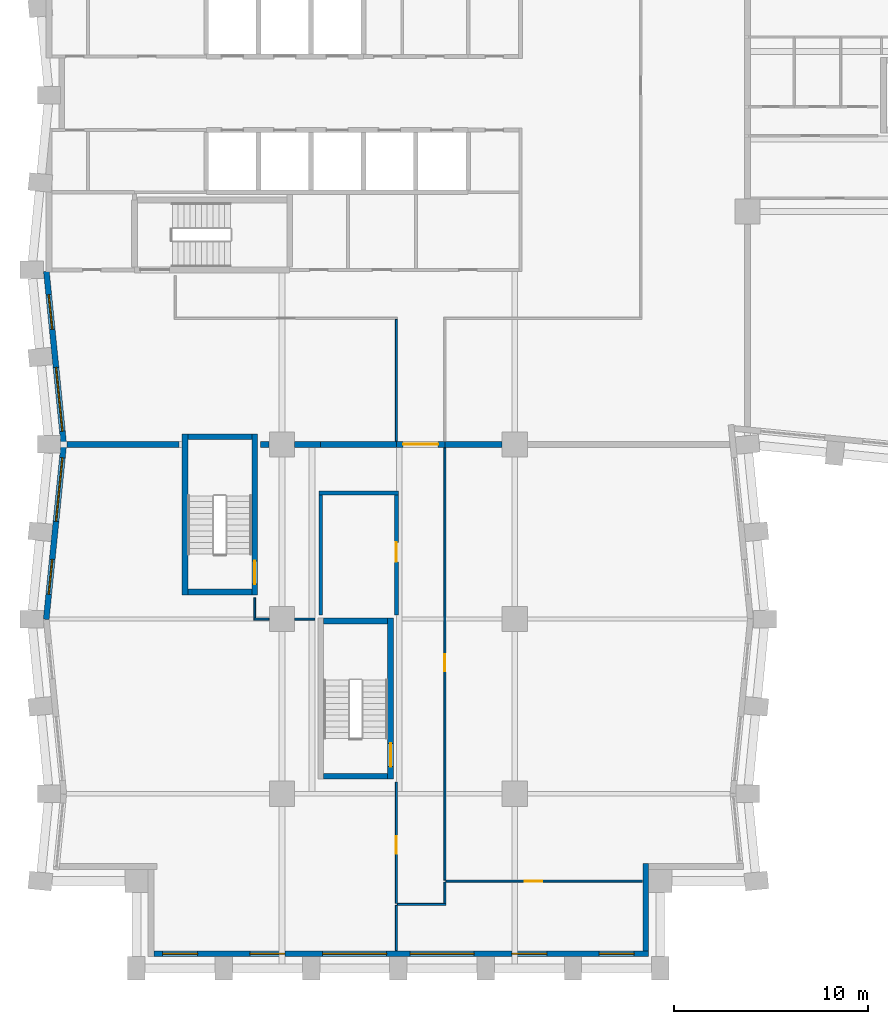
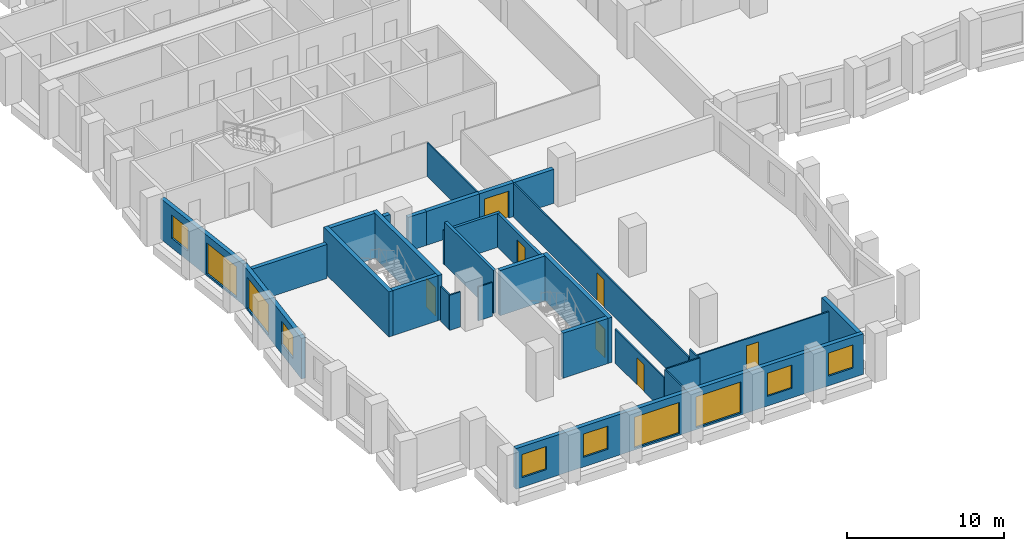
# One storey, part 3 of 11: 30 walls, 10 windows, 7 doors, 17 openings.
"""IFC4 building model written with IfcOpenShell, lengths in metres."""

from ifc_helpers import new_model, si_unit, direction, frame, frame_2d, origin, place, context, subcontext, project, spatial, rectangle, extrude, material, layer, layer_set, type_object, element, fill, save


model = new_model("IFC4")

# Units and contexts
model_context = context("Model", 3, precision=1e-05, world=origin(), true_north=direction((0.0, 1.0)))
body_context = subcontext(model_context, "Body", "Model", "MODEL_VIEW")
ifc_project = project(units=[si_unit("LENGTHUNIT", "METRE"), si_unit("AREAUNIT", "SQUARE_METRE"), si_unit("VOLUMEUNIT", "CUBIC_METRE"), si_unit("PLANEANGLEUNIT", "RADIAN"), si_unit("MASSUNIT", "GRAM", prefix="KILO")], contexts=[model_context])

# Site, building, storey
site_placement = place(None, origin())
site = spatial("IfcSite", under=ifc_project, at=site_placement, CompositionType="ELEMENT")
building_placement = place(site_placement, origin())
building = spatial("IfcBuilding", under=site, at=building_placement, Name="Brondeck Convention Tower", CompositionType="ELEMENT")
storey_placement = place(building_placement, frame((0.0, 0.0, 130.300048828125)))
storey = spatial("IfcBuildingStorey", under=building, at=storey_placement, Name="L31", CompositionType="ELEMENT", Elevation=130.300048828125)

# Walls
ifc_material_1 = material(Name="Concrete compartment wall C30/37", Category="concrete")
ifc_layer_1 = layer(ifc_material_1, 0.300048828125)
ifc_layer_set_1 = layer_set([ifc_layer_1], Name="Compartment wall 300")
wall_type_1 = type_object("IfcWallType", Name="Compartment wall 300", PredefinedType="PARTITIONING", material=ifc_layer_set_1)
wall_1_placement = place(storey_placement, frame((0.924560546875, 27.0, 0.0), z_axis=(0.0, 0.0, 1.0), x_axis=(1.0, 0.0, 0.0)))
element("IfcWall", 1, at=wall_1_placement, inside=storey, type_object=wall_type_1, Name="FLR-L31-W013", PredefinedType="PARTITIONING", context=body_context, shape_type="SweptSolid", body=[
    extrude(rectangle(XDim=5.775390625, YDim=0.300048828125, at=frame_2d((2.8876953125, 0.0))), origin(), (0.0, 0.0, 1.0), 2.6298828125),
])
wall_2_placement = place(storey_placement, frame((10.89990234375, 27.0, 0.0), z_axis=(0.0, 0.0, 1.0), x_axis=(1.0, 0.0, 0.0)))
element("IfcWall", 2, at=wall_2_placement, inside=storey, type_object=wall_type_1, Name="FLR-L31-W014", PredefinedType="PARTITIONING", context=body_context, shape_type="SweptSolid", body=[
    extrude(rectangle(XDim=0.445068359375, YDim=0.300048828125, at=frame_2d((0.22265625, 0.0))), origin(), (0.0, 0.0, 1.0), 3.329833984375),
])
wall_3_placement = place(storey_placement, frame((12.655029296875, 27.0, 0.0), z_axis=(0.0, 0.0, 1.0), x_axis=(1.0, 0.0, 0.0)))
element("IfcWall", 3, at=wall_3_placement, inside=storey, type_object=wall_type_1, Name="FLR-L31-W015", PredefinedType="PARTITIONING", context=body_context, shape_type="SweptSolid", body=[
    extrude(rectangle(XDim=1.344970703125, YDim=0.300048828125, at=frame_2d((0.67236328125, 0.0))), origin(), (0.0, 0.0, 1.0), 2.6298828125),
])
wall_4_placement = place(storey_placement, frame((14.0, 27.0, 0.0), z_axis=(0.0, 0.0, 1.0), x_axis=(1.0, 0.0, 0.0)))
element("IfcWall", 4, at=wall_4_placement, inside=storey, type_object=wall_type_1, Name="FLR-L31-W016", PredefinedType="PARTITIONING", context=body_context, shape_type="SweptSolid", body=[
    extrude(rectangle(XDim=3.89990234375, YDim=0.300048828125, at=frame_2d((1.949951171875, 0.0))), origin(), (0.0, 0.0, 1.0), 2.6298828125),
])

# Wall, opening, door
wall_5_placement = place(storey_placement, frame((20.39990234375, 27.0, 0.0), z_axis=(0.0, 0.0, 1.0), x_axis=(-1.0, 0.0, 0.0)))
wall_5 = element("IfcWall", 5, at=wall_5_placement, inside=storey, type_object=wall_type_1, Name="FLR-L31-W017", PredefinedType="PARTITIONING", context=body_context, shape_type="SweptSolid", body=[
    extrude(rectangle(XDim=2.5, YDim=0.300048828125, at=frame_2d((1.25, 0.0))), origin(), (0.0, 0.0, 1.0), 2.6298828125),
])
opening_1_placement = place(wall_5_placement, frame((0.35009765625, 0.0, 0.0)))
opening_1 = element("IfcOpeningElement", 6, at=opening_1_placement, cuts=wall_5, Name="Opening OF-E-018", PredefinedType="OPENING", context=body_context, shape_type="SweptSolid", body=[
    extrude(rectangle(XDim=1.800048828125, YDim=2.10009765625, at=frame_2d((0.89990234375, 1.050048828125))), frame((0.0, 0.159912109375, 0.0), z_axis=(0.0, -1.0, 0.0), x_axis=(1.0, 0.0, 0.0)), (0.0, 0.0, 1.0), 0.320068359375),
])
ifc_material_2 = material(Name="Steel fire door pair", Category="steel")
door_type_1 = type_object("IfcDoorType", Name="Fire door pair 1800", OperationType="DOUBLE_DOOR_SINGLE_SWING", PredefinedType="DOOR", material=ifc_material_2)
door_1_placement = place(opening_1_placement, origin())
door_1 = element("IfcDoor", 7, at=door_1_placement, inside=storey, type_object=door_type_1, Name="Door OF-E-018", OperationType="DOUBLE_DOOR_SINGLE_SWING", OverallHeight=2.10009765625, OverallWidth=1.800048828125, PredefinedType="DOOR", context=body_context, shape_type="SweptSolid", body=[
    extrude(rectangle(XDim=1.800048828125, YDim=2.10009765625, at=frame_2d((0.89990234375, 1.050048828125))), frame((0.0, 0.02490234375, 0.0), z_axis=(0.0, -1.0, 0.0), x_axis=(1.0, 0.0, 0.0)), (0.0, 0.0, 1.0), 0.050048828125),
])
fill(opening_1, door_1)

# Wall
wall_6_placement = place(storey_placement, frame((20.39990234375, 27.0, 0.0), z_axis=(0.0, 0.0, 1.0), x_axis=(1.0, 0.0, 0.0)))
element("IfcWall", 8, at=wall_6_placement, inside=storey, type_object=wall_type_1, Name="FLR-L31-W018", PredefinedType="PARTITIONING", context=body_context, shape_type="SweptSolid", body=[
    extrude(rectangle(XDim=2.945068359375, YDim=0.300048828125, at=frame_2d((1.47265625, 0.0))), origin(), (0.0, 0.0, 1.0), 2.6298828125),
])

# Wall, openings, windows
ifc_material_3 = material(Name="Precast concrete C50/60 bronze finish", Category="concrete")
ifc_layer_2 = layer(ifc_material_3, 0.070068359375, Name="Bronze precast facing")
ifc_material_4 = material(Name="Mineral wool")
ifc_layer_3 = layer(ifc_material_4, 0.159912109375, Name="Insulation")
ifc_material_5 = material(Name="Concrete C35/45", Category="concrete")
ifc_layer_4 = layer(ifc_material_5, 0.070068359375, Name="Backing")
ifc_layer_set_2 = layer_set([ifc_layer_2, ifc_layer_3, ifc_layer_4], Name="External infill wall, precast concrete C50/60 bronze facing")
wall_type_2 = type_object("IfcWallType", Name="External infill wall, precast concrete C50/60 bronze facing", PredefinedType="SOLIDWALL", material=ifc_layer_set_2)
wall_7_placement = place(storey_placement, frame((30.89990234375, 0.75, 0.0), z_axis=(0.0, 0.0, 1.0), x_axis=(-1.0, 0.0, 0.0)))
wall_7 = element("IfcWall", 9, at=wall_7_placement, inside=storey, type_object=wall_type_2, Name="ENV-EW-L31-P0-B-S0-01", PredefinedType="SOLIDWALL", context=body_context, shape_type="SweptSolid", body=[
    extrude(rectangle(XDim=25.5, YDim=0.300048828125, at=frame_2d((12.75, 0.0))), origin(), (0.0, 0.0, 1.0), 3.14990234375),
])
opening_2_placement = place(wall_7_placement, frame((0.75, 0.0, 0.75)))
opening_2 = element("IfcOpeningElement", 10, at=opening_2_placement, cuts=wall_7, Name="Opening W10", PredefinedType="OPENING", context=body_context, shape_type="SweptSolid", body=[
    extrude(rectangle(XDim=1.800048828125, YDim=1.800048828125, at=frame_2d((0.89990234375, 0.89990234375))), frame((0.0, 0.159912109375, 0.0), z_axis=(0.0, -1.0, 0.0), x_axis=(1.0, 0.0, 0.0)), (0.0, 0.0, 1.0), 0.320068359375),
])
opening_3_placement = place(wall_7_placement, frame((5.25, 0.0, 0.75)))
opening_3 = element("IfcOpeningElement", 11, at=opening_3_placement, cuts=wall_7, Name="Opening W10", PredefinedType="OPENING", context=body_context, shape_type="SweptSolid", body=[
    extrude(rectangle(XDim=1.800048828125, YDim=1.800048828125, at=frame_2d((0.89990234375, 0.89990234375))), frame((0.0, 0.159912109375, 0.0), z_axis=(0.0, -1.0, 0.0), x_axis=(1.0, 0.0, 0.0)), (0.0, 0.0, 1.0), 0.320068359375),
])
opening_4_placement = place(wall_7_placement, frame((9.0, 0.0, 0.14990234375)))
opening_4 = element("IfcOpeningElement", 12, at=opening_4_placement, cuts=wall_7, Name="Opening W9", PredefinedType="OPENING", context=body_context, shape_type="SweptSolid", body=[
    extrude(rectangle(XDim=3.300048828125, YDim=2.39990234375, at=frame_2d((1.64990234375, 1.199951171875))), frame((0.0, 0.159912109375, 0.0), z_axis=(0.0, -1.0, 0.0), x_axis=(1.0, 0.0, 0.0)), (0.0, 0.0, 1.0), 0.320068359375),
])
opening_5_placement = place(wall_7_placement, frame((13.5, 0.0, 0.14990234375)))
opening_5 = element("IfcOpeningElement", 13, at=opening_5_placement, cuts=wall_7, Name="Opening W9", PredefinedType="OPENING", context=body_context, shape_type="SweptSolid", body=[
    extrude(rectangle(XDim=3.300048828125, YDim=2.39990234375, at=frame_2d((1.64990234375, 1.199951171875))), frame((0.0, 0.159912109375, 0.0), z_axis=(0.0, -1.0, 0.0), x_axis=(1.0, 0.0, 0.0)), (0.0, 0.0, 1.0), 0.320068359375),
])
opening_6_placement = place(wall_7_placement, frame((18.75, 0.0, 0.75)))
opening_6 = element("IfcOpeningElement", 14, at=opening_6_placement, cuts=wall_7, Name="Opening W10", PredefinedType="OPENING", context=body_context, shape_type="SweptSolid", body=[
    extrude(rectangle(XDim=1.800048828125, YDim=1.800048828125, at=frame_2d((0.89990234375, 0.89990234375))), frame((0.0, 0.159912109375, 0.0), z_axis=(0.0, -1.0, 0.0), x_axis=(1.0, 0.0, 0.0)), (0.0, 0.0, 1.0), 0.320068359375),
])
opening_7_placement = place(wall_7_placement, frame((23.25, 0.0, 0.75)))
opening_7 = element("IfcOpeningElement", 15, at=opening_7_placement, cuts=wall_7, Name="Opening W10", PredefinedType="OPENING", context=body_context, shape_type="SweptSolid", body=[
    extrude(rectangle(XDim=1.800048828125, YDim=1.800048828125, at=frame_2d((0.89990234375, 0.89990234375))), frame((0.0, 0.159912109375, 0.0), z_axis=(0.0, -1.0, 0.0), x_axis=(1.0, 0.0, 0.0)), (0.0, 0.0, 1.0), 0.320068359375),
])
ifc_material_6 = material(Name="Bronze tinted double glazing", Category="glass")
window_type_1 = type_object("IfcWindowType", Name="Glazed flute window, bronze tinted", PartitioningType="SINGLE_PANEL", PredefinedType="WINDOW", material=ifc_material_6)
window_1_placement = place(opening_4_placement, origin())
window_1 = element("IfcWindow", 16, at=window_1_placement, inside=storey, type_object=window_type_1, Name="ENV-WN-L31-P0-B-S0-04", OverallHeight=2.39990234375, OverallWidth=3.300048828125, PartitioningType="SINGLE_PANEL", PredefinedType="WINDOW", context=body_context, shape_type="SweptSolid", body=[
    extrude(rectangle(XDim=3.300048828125, YDim=2.39990234375, at=frame_2d((1.64990234375, 1.199951171875))), frame((0.0, 0.030029296875, 0.0), z_axis=(0.0, -1.0, 0.0), x_axis=(1.0, 0.0, 0.0)), (0.0, 0.0, 1.0), 0.06005859375),
])
fill(opening_4, window_1)
window_2_placement = place(opening_5_placement, origin())
window_2 = element("IfcWindow", 17, at=window_2_placement, inside=storey, type_object=window_type_1, Name="ENV-WN-L31-P0-B-S0-03", OverallHeight=2.39990234375, OverallWidth=3.300048828125, PartitioningType="SINGLE_PANEL", PredefinedType="WINDOW", context=body_context, shape_type="SweptSolid", body=[
    extrude(rectangle(XDim=3.300048828125, YDim=2.39990234375, at=frame_2d((1.64990234375, 1.199951171875))), frame((0.0, 0.030029296875, 0.0), z_axis=(0.0, -1.0, 0.0), x_axis=(1.0, 0.0, 0.0)), (0.0, 0.0, 1.0), 0.06005859375),
])
fill(opening_5, window_2)
window_type_2 = type_object("IfcWindowType", Name="Punched window, bronze tinted", PartitioningType="SINGLE_PANEL", PredefinedType="WINDOW", material=ifc_material_6)
window_3_placement = place(opening_2_placement, origin())
window_3 = element("IfcWindow", 18, at=window_3_placement, inside=storey, type_object=window_type_2, Name="ENV-WN-L31-P0-B-S0-06", OverallHeight=1.800048828125, OverallWidth=1.800048828125, PartitioningType="SINGLE_PANEL", PredefinedType="WINDOW", context=body_context, shape_type="SweptSolid", body=[
    extrude(rectangle(XDim=1.800048828125, YDim=1.800048828125, at=frame_2d((0.89990234375, 0.89990234375))), frame((0.0, 0.030029296875, 0.0), z_axis=(0.0, -1.0, 0.0), x_axis=(1.0, 0.0, 0.0)), (0.0, 0.0, 1.0), 0.06005859375),
])
fill(opening_2, window_3)
window_4_placement = place(opening_3_placement, origin())
window_4 = element("IfcWindow", 19, at=window_4_placement, inside=storey, type_object=window_type_2, Name="ENV-WN-L31-P0-B-S0-05", OverallHeight=1.800048828125, OverallWidth=1.800048828125, PartitioningType="SINGLE_PANEL", PredefinedType="WINDOW", context=body_context, shape_type="SweptSolid", body=[
    extrude(rectangle(XDim=1.800048828125, YDim=1.800048828125, at=frame_2d((0.89990234375, 0.89990234375))), frame((0.0, 0.030029296875, 0.0), z_axis=(0.0, -1.0, 0.0), x_axis=(1.0, 0.0, 0.0)), (0.0, 0.0, 1.0), 0.06005859375),
])
fill(opening_3, window_4)
window_5_placement = place(opening_6_placement, origin())
window_5 = element("IfcWindow", 20, at=window_5_placement, inside=storey, type_object=window_type_2, Name="ENV-WN-L31-P0-B-S0-02", OverallHeight=1.800048828125, OverallWidth=1.800048828125, PartitioningType="SINGLE_PANEL", PredefinedType="WINDOW", context=body_context, shape_type="SweptSolid", body=[
    extrude(rectangle(XDim=1.800048828125, YDim=1.800048828125, at=frame_2d((0.89990234375, 0.89990234375))), frame((0.0, 0.030029296875, 0.0), z_axis=(0.0, -1.0, 0.0), x_axis=(1.0, 0.0, 0.0)), (0.0, 0.0, 1.0), 0.06005859375),
])
fill(opening_6, window_5)
window_6_placement = place(opening_7_placement, origin())
window_6 = element("IfcWindow", 21, at=window_6_placement, inside=storey, type_object=window_type_2, Name="ENV-WN-L31-P0-B-S0-01", OverallHeight=1.800048828125, OverallWidth=1.800048828125, PartitioningType="SINGLE_PANEL", PredefinedType="WINDOW", context=body_context, shape_type="SweptSolid", body=[
    extrude(rectangle(XDim=1.800048828125, YDim=1.800048828125, at=frame_2d((0.89990234375, 0.89990234375))), frame((0.0, 0.030029296875, 0.0), z_axis=(0.0, -1.0, 0.0), x_axis=(1.0, 0.0, 0.0)), (0.0, 0.0, 1.0), 0.06005859375),
])
fill(opening_7, window_6)

# Wall
wall_8_placement = place(storey_placement, frame((30.75, 5.39990234375, 0.0), z_axis=(0.0, 0.0, 1.0), x_axis=(0.0, -1.0, 0.0)))
element("IfcWall", 22, at=wall_8_placement, inside=storey, type_object=wall_type_2, Name="ENV-EW-L31-P0-NC-SEB0-01", PredefinedType="SOLIDWALL", context=body_context, shape_type="SweptSolid", body=[
    extrude(rectangle(XDim=4.501953125, YDim=0.300048828125, at=frame_2d((2.2509765625, 0.0))), origin(), (0.0, 0.0, 1.0), 3.14990234375),
])

# Wall, openings, windows
wall_9_placement = place(storey_placement, frame((0.755126953125, 26.985107421875, 0.0), z_axis=(0.0, 0.0, 1.0), x_axis=(-0.099479505633, 0.995039611251, 0.0)))
wall_9 = element("IfcWall", 23, at=wall_9_placement, inside=storey, type_object=wall_type_2, Name="ENV-EW-L31-P0-B-W-06", PredefinedType="SOLIDWALL", context=body_context, shape_type="SweptSolid", body=[
    extrude(rectangle(XDim=8.98486328125, YDim=0.300048828125, at=frame_2d((4.492431640625, 0.0))), origin(), (0.0, 0.0, 1.0), 3.14990234375),
])
opening_8_placement = place(wall_9_placement, frame((0.701171875, 0.0, 0.14990234375)))
opening_8 = element("IfcOpeningElement", 24, at=opening_8_placement, cuts=wall_9, Name="Opening W9", PredefinedType="OPENING", context=body_context, shape_type="SweptSolid", body=[
    extrude(rectangle(XDim=3.300048828125, YDim=2.39990234375, at=frame_2d((1.64990234375, 1.199951171875))), frame((0.0, 0.159912109375, 0.0), z_axis=(0.0, -1.0, 0.0), x_axis=(1.0, 0.0, 0.0)), (0.0, 0.0, 1.0), 0.320068359375),
])
opening_9_placement = place(wall_9_placement, frame((5.9736328125, 0.0, 0.75)))
opening_9 = element("IfcOpeningElement", 25, at=opening_9_placement, cuts=wall_9, Name="Opening W10", PredefinedType="OPENING", context=body_context, shape_type="SweptSolid", body=[
    extrude(rectangle(XDim=1.800048828125, YDim=1.800048828125, at=frame_2d((0.89990234375, 0.89990234375))), frame((0.0, 0.159912109375, 0.0), z_axis=(0.0, -1.0, 0.0), x_axis=(1.0, 0.0, 0.0)), (0.0, 0.0, 1.0), 0.320068359375),
])
window_7_placement = place(opening_8_placement, origin())
window_7 = element("IfcWindow", 26, at=window_7_placement, inside=storey, type_object=window_type_1, Name="ENV-WN-L31-P0-B-W-07", OverallHeight=2.39990234375, OverallWidth=3.300048828125, PartitioningType="SINGLE_PANEL", PredefinedType="WINDOW", context=body_context, shape_type="SweptSolid", body=[
    extrude(rectangle(XDim=3.300048828125, YDim=2.39990234375, at=frame_2d((1.64990234375, 1.199951171875))), frame((0.0, 0.030029296875, 0.0), z_axis=(0.0, -1.0, 0.0), x_axis=(1.0, 0.0, 0.0)), (0.0, 0.0, 1.0), 0.06005859375),
])
fill(opening_8, window_7)
window_8_placement = place(opening_9_placement, origin())
window_8 = element("IfcWindow", 27, at=window_8_placement, inside=storey, type_object=window_type_2, Name="ENV-WN-L31-P0-B-W-06", OverallHeight=1.800048828125, OverallWidth=1.800048828125, PartitioningType="SINGLE_PANEL", PredefinedType="WINDOW", context=body_context, shape_type="SweptSolid", body=[
    extrude(rectangle(XDim=1.800048828125, YDim=1.800048828125, at=frame_2d((0.89990234375, 0.89990234375))), frame((0.0, 0.030029296875, 0.0), z_axis=(0.0, -1.0, 0.0), x_axis=(1.0, 0.0, 0.0)), (0.0, 0.0, 1.0), 0.06005859375),
])
fill(opening_9, window_8)

wall_10_placement = place(storey_placement, frame((-0.147705078125, 17.985107421875, 0.0), z_axis=(0.0, 0.0, 1.0), x_axis=(0.099495688264, 0.995037993253, 0.0)))
wall_10 = element("IfcWall", 28, at=wall_10_placement, inside=storey, type_object=wall_type_2, Name="ENV-EW-L31-P0-B-W-08", PredefinedType="SOLIDWALL", context=body_context, shape_type="SweptSolid", body=[
    extrude(rectangle(XDim=9.030029296875, YDim=0.300048828125, at=frame_2d((4.51513671875, 0.0))), origin(), (0.0, 0.0, 1.0), 3.14990234375),
])
opening_10_placement = place(wall_10_placement, frame((1.30126953125, 0.0, 0.75)))
opening_10 = element("IfcOpeningElement", 29, at=opening_10_placement, cuts=wall_10, Name="Opening W10", PredefinedType="OPENING", context=body_context, shape_type="SweptSolid", body=[
    extrude(rectangle(XDim=1.800048828125, YDim=1.800048828125, at=frame_2d((0.89990234375, 0.89990234375))), frame((0.0, 0.159912109375, 0.0), z_axis=(0.0, -1.0, 0.0), x_axis=(1.0, 0.0, 0.0)), (0.0, 0.0, 1.0), 0.320068359375),
])
opening_11_placement = place(wall_10_placement, frame((5.073486328125, 0.0, 0.14990234375)))
opening_11 = element("IfcOpeningElement", 30, at=opening_11_placement, cuts=wall_10, Name="Opening W9", PredefinedType="OPENING", context=body_context, shape_type="SweptSolid", body=[
    extrude(rectangle(XDim=3.300048828125, YDim=2.39990234375, at=frame_2d((1.64990234375, 1.199951171875))), frame((0.0, 0.159912109375, 0.0), z_axis=(0.0, -1.0, 0.0), x_axis=(1.0, 0.0, 0.0)), (0.0, 0.0, 1.0), 0.320068359375),
])
window_9_placement = place(opening_11_placement, origin())
window_9 = element("IfcWindow", 31, at=window_9_placement, inside=storey, type_object=window_type_1, Name="ENV-WN-L31-P0-B-W-08", OverallHeight=2.39990234375, OverallWidth=3.300048828125, PartitioningType="SINGLE_PANEL", PredefinedType="WINDOW", context=body_context, shape_type="SweptSolid", body=[
    extrude(rectangle(XDim=3.300048828125, YDim=2.39990234375, at=frame_2d((1.64990234375, 1.199951171875))), frame((0.0, 0.030029296875, 0.0), z_axis=(0.0, -1.0, 0.0), x_axis=(1.0, 0.0, 0.0)), (0.0, 0.0, 1.0), 0.06005859375),
])
fill(opening_11, window_9)
window_10_placement = place(opening_10_placement, origin())
window_10 = element("IfcWindow", 32, at=window_10_placement, inside=storey, type_object=window_type_2, Name="ENV-WN-L31-P0-B-W-09", OverallHeight=1.800048828125, OverallWidth=1.800048828125, PartitioningType="SINGLE_PANEL", PredefinedType="WINDOW", context=body_context, shape_type="SweptSolid", body=[
    extrude(rectangle(XDim=1.800048828125, YDim=1.800048828125, at=frame_2d((0.89990234375, 0.89990234375))), frame((0.0, 0.030029296875, 0.0), z_axis=(0.0, -1.0, 0.0), x_axis=(1.0, 0.0, 0.0)), (0.0, 0.0, 1.0), 0.06005859375),
])
fill(opening_10, window_10)

# Wall, opening, door
ifc_material_7 = material(Name="Concrete block wall C16/20", Category="concrete")
ifc_layer_5 = layer(ifc_material_7, 0.199951171875)
ifc_layer_set_3 = layer_set([ifc_layer_5], Name="Plant room wall 200")
wall_type_3 = type_object("IfcWallType", Name="Plant room wall 200", PredefinedType="PARTITIONING", material=ifc_layer_set_3)
wall_11_placement = place(storey_placement, frame((17.89990234375, 18.199951171875, 0.0), z_axis=(0.0, 0.0, 1.0), x_axis=(0.0, 1.0, 0.0)))
wall_11 = element("IfcWall", 33, at=wall_11_placement, inside=storey, type_object=wall_type_3, Name="FLR-L31-W009", PredefinedType="PARTITIONING", context=body_context, shape_type="SweptSolid", body=[
    extrude(rectangle(XDim=6.199951171875, YDim=0.199951171875, at=frame_2d((3.10009765625, 0.0))), origin(), (0.0, 0.0, 1.0), 2.6298828125),
])
opening_12_placement = place(wall_11_placement, frame((2.75, 0.0, 0.0)))
opening_12 = element("IfcOpeningElement", 34, at=opening_12_placement, cuts=wall_11, Name="Opening OF-E-001", PredefinedType="OPENING", context=body_context, shape_type="SweptSolid", body=[
    extrude(rectangle(XDim=1.0, YDim=2.10009765625, at=frame_2d((0.5, 1.050048828125))), frame((0.0, 0.10986328125, 0.0), z_axis=(0.0, -1.0, 0.0), x_axis=(1.0, 0.0, 0.0)), (0.0, 0.0, 1.0), 0.219970703125),
])
ifc_material_8 = material(Name="Steel fire door leaf", Category="steel")
door_type_2 = type_object("IfcDoorType", Name="Plant room door 1000", OperationType="NOTDEFINED", PredefinedType="DOOR", material=ifc_material_8)
door_2_placement = place(opening_12_placement, origin())
door_2 = element("IfcDoor", 35, at=door_2_placement, inside=storey, type_object=door_type_2, Name="Door OF-E-001", OperationType="SINGLE_SWING_LEFT", OverallHeight=2.10009765625, OverallWidth=1.0, PredefinedType="DOOR", context=body_context, shape_type="SweptSolid", body=[
    extrude(rectangle(XDim=1.0, YDim=2.10009765625, at=frame_2d((0.5, 1.050048828125))), frame((0.0, 0.02490234375, 0.0), z_axis=(0.0, -1.0, 0.0), x_axis=(1.0, 0.0, 0.0)), (0.0, 0.0, 1.0), 0.050048828125),
])
fill(opening_12, door_2)

# Walls
wall_12_placement = place(storey_placement, frame((14.0, 24.39990234375, 0.0), z_axis=(0.0, 0.0, 1.0), x_axis=(0.0, -1.0, 0.0)))
element("IfcWall", 36, at=wall_12_placement, inside=storey, type_object=wall_type_3, Name="FLR-L31-W010", PredefinedType="PARTITIONING", context=body_context, shape_type="SweptSolid", body=[
    extrude(rectangle(XDim=6.199951171875, YDim=0.199951171875, at=frame_2d((3.10009765625, 0.0))), origin(), (0.0, 0.0, 1.0), 3.329833984375),
])
wall_13_placement = place(storey_placement, frame((18.0, 24.5, 0.0), z_axis=(0.0, 0.0, 1.0), x_axis=(-1.0, 0.0, 0.0)))
element("IfcWall", 37, at=wall_13_placement, inside=storey, type_object=wall_type_3, Name="FLR-L31-W011", PredefinedType="PARTITIONING", context=body_context, shape_type="SweptSolid", body=[
    extrude(rectangle(XDim=4.10009765625, YDim=0.199951171875, at=frame_2d((2.050048828125, 0.0))), origin(), (0.0, 0.0, 1.0), 2.6298828125),
])
ifc_material_9 = material(Name="Gypsum board partition on steel studs", Category="steel")
ifc_layer_6 = layer(ifc_material_9, 0.10009765625)
ifc_layer_set_4 = layer_set([ifc_layer_6], Name="Room partition 100")
wall_type_4 = type_object("IfcWallType", Name="Room partition 100", PredefinedType="PARTITIONING", material=ifc_layer_set_4)
wall_14_placement = place(storey_placement, frame((17.89990234375, 0.919921875, 0.0), z_axis=(0.0, 0.0, 1.0), x_axis=(0.0, 1.0, 0.0)))
element("IfcWall", 38, at=wall_14_placement, inside=storey, type_object=wall_type_4, Name="FLR-L31-W001", PredefinedType="PARTITIONING", context=body_context, shape_type="SweptSolid", body=[
    extrude(rectangle(XDim=2.330078125, YDim=0.10009765625, at=frame_2d((1.1650390625, 0.0))), origin(), (0.0, 0.0, 1.0), 3.329833984375),
])
wall_15_placement = place(storey_placement, frame((20.449951171875, 3.300048828125, 0.0), z_axis=(0.0, 0.0, 1.0), x_axis=(-1.0, 0.0, 0.0)))
element("IfcWall", 39, at=wall_15_placement, inside=storey, type_object=wall_type_4, Name="FLR-L31-W002", PredefinedType="PARTITIONING", context=body_context, shape_type="SweptSolid", body=[
    extrude(rectangle(XDim=2.5, YDim=0.10009765625, at=frame_2d((1.25, 0.0))), origin(), (0.0, 0.0, 1.0), 3.329833984375),
])

# Wall, opening, door
wall_16_placement = place(storey_placement, frame((17.89990234375, 3.35009765625, 0.0), z_axis=(0.0, 0.0, 1.0), x_axis=(0.0, 1.0, 0.0)))
wall_16 = element("IfcWall", 40, at=wall_16_placement, inside=storey, type_object=wall_type_4, Name="FLR-L31-W003", PredefinedType="PARTITIONING", context=body_context, shape_type="SweptSolid", body=[
    extrude(rectangle(XDim=6.25, YDim=0.10009765625, at=frame_2d((3.125, 0.0))), origin(), (0.0, 0.0, 1.0), 2.6298828125),
])
opening_13_placement = place(wall_16_placement, frame((2.550048828125, 0.0, 0.0)))
opening_13 = element("IfcOpeningElement", 41, at=opening_13_placement, cuts=wall_16, Name="Opening OF-E-015", PredefinedType="OPENING", context=body_context, shape_type="SweptSolid", body=[
    extrude(rectangle(XDim=0.89990234375, YDim=2.10009765625, at=frame_2d((0.449951171875, 1.050048828125))), frame((0.0, 0.06005859375, 0.0), z_axis=(0.0, -1.0, 0.0), x_axis=(1.0, 0.0, 0.0)), (0.0, 0.0, 1.0), 0.1201171875),
])
ifc_material_10 = material(Name="Solid timber door leaf", Category="wood")
door_type_3 = type_object("IfcDoorType", Name="Single door 900", OperationType="NOTDEFINED", PredefinedType="DOOR", material=ifc_material_10)
door_3_placement = place(opening_13_placement, origin())
door_3 = element("IfcDoor", 42, at=door_3_placement, inside=storey, type_object=door_type_3, Name="Door OF-E-015", OperationType="SINGLE_SWING_LEFT", OverallHeight=2.10009765625, OverallWidth=0.89990234375, PredefinedType="DOOR", context=body_context, shape_type="SweptSolid", body=[
    extrude(rectangle(XDim=0.89990234375, YDim=2.10009765625, at=frame_2d((0.449951171875, 1.050048828125))), frame((0.0, 0.02490234375, 0.0), z_axis=(0.0, -1.0, 0.0), x_axis=(1.0, 0.0, 0.0)), (0.0, 0.0, 1.0), 0.050048828125),
])
fill(opening_13, door_3)

# Wall
wall_17_placement = place(storey_placement, frame((20.39990234375, 4.449951171875, 0.0), z_axis=(0.0, 0.0, 1.0), x_axis=(0.0, -1.0, 0.0)))
element("IfcWall", 43, at=wall_17_placement, inside=storey, type_object=wall_type_4, Name="FLR-L31-W004", PredefinedType="PARTITIONING", context=body_context, shape_type="SweptSolid", body=[
    extrude(rectangle(XDim=1.099853515625, YDim=0.10009765625, at=frame_2d((0.5498046875, 0.0))), origin(), (0.0, 0.0, 1.0), 3.329833984375),
])

# Wall, opening, door
wall_18_placement = place(storey_placement, frame((30.580078125, 4.5, 0.0), z_axis=(0.0, 0.0, 1.0), x_axis=(-1.0, 0.0, 0.0)))
wall_18 = element("IfcWall", 44, at=wall_18_placement, inside=storey, type_object=wall_type_4, Name="FLR-L31-W005", PredefinedType="PARTITIONING", context=body_context, shape_type="SweptSolid", body=[
    extrude(rectangle(XDim=10.130126953125, YDim=0.10009765625, at=frame_2d((5.06494140625, 0.0))), origin(), (0.0, 0.0, 1.0), 2.6298828125),
])
opening_14_placement = place(wall_18_placement, frame((5.155029296875, 0.0, 0.0)))
opening_14 = element("IfcOpeningElement", 45, at=opening_14_placement, cuts=wall_18, Name="Opening OF-E-014", PredefinedType="OPENING", context=body_context, shape_type="SweptSolid", body=[
    extrude(rectangle(XDim=0.89990234375, YDim=2.10009765625, at=frame_2d((0.449951171875, 1.050048828125))), frame((0.0, 0.06005859375, 0.0), z_axis=(0.0, -1.0, 0.0), x_axis=(1.0, 0.0, 0.0)), (0.0, 0.0, 1.0), 0.1201171875),
])
door_4_placement = place(opening_14_placement, origin())
door_4 = element("IfcDoor", 46, at=door_4_placement, inside=storey, type_object=door_type_3, Name="Door OF-E-014", OperationType="SINGLE_SWING_LEFT", OverallHeight=2.10009765625, OverallWidth=0.89990234375, PredefinedType="DOOR", context=body_context, shape_type="SweptSolid", body=[
    extrude(rectangle(XDim=0.89990234375, YDim=2.10009765625, at=frame_2d((0.449951171875, 1.050048828125))), frame((0.0, 0.02490234375, 0.0), z_axis=(0.0, -1.0, 0.0), x_axis=(1.0, 0.0, 0.0)), (0.0, 0.0, 1.0), 0.050048828125),
])
fill(opening_14, door_4)

# Walls
wall_19_placement = place(storey_placement, frame((11.344970703125, 18.0, 0.0), z_axis=(0.0, 0.0, 1.0), x_axis=(-1.0, 0.0, 0.0)))
element("IfcWall", 47, at=wall_19_placement, inside=storey, type_object=wall_type_4, Name="FLR-L31-W006", PredefinedType="PARTITIONING", context=body_context, shape_type="SweptSolid", body=[
    extrude(rectangle(XDim=0.794921875, YDim=0.10009765625, at=frame_2d((0.3974609375, 0.0))), origin(), (0.0, 0.0, 1.0), 2.72998046875),
])
wall_20_placement = place(storey_placement, frame((13.699951171875, 18.0, 0.0), z_axis=(0.0, 0.0, 1.0), x_axis=(-1.0, 0.0, 0.0)))
element("IfcWall", 48, at=wall_20_placement, inside=storey, type_object=wall_type_4, Name="FLR-L31-W007", PredefinedType="PARTITIONING", context=body_context, shape_type="SweptSolid", body=[
    extrude(rectangle(XDim=1.044921875, YDim=0.10009765625, at=frame_2d((0.5224609375, 0.0))), origin(), (0.0, 0.0, 1.0), 2.6298828125),
])
wall_21_placement = place(storey_placement, frame((10.60009765625, 18.050048828125, 0.0), z_axis=(0.0, 0.0, 1.0), x_axis=(0.0, 1.0, 0.0)))
element("IfcWall", 49, at=wall_21_placement, inside=storey, type_object=wall_type_4, Name="FLR-L31-W008", PredefinedType="PARTITIONING", context=body_context, shape_type="SweptSolid", body=[
    extrude(rectangle(XDim=1.050048828125, YDim=0.10009765625, at=frame_2d((0.52490234375, 0.0))), origin(), (0.0, 0.0, 1.0), 2.72998046875),
])

# Wall, opening, door
wall_22_placement = place(storey_placement, frame((20.39990234375, 26.830078125, 0.0), z_axis=(0.0, 0.0, 1.0), x_axis=(0.0, -1.0, 0.0)))
wall_22 = element("IfcWall", 50, at=wall_22_placement, inside=storey, type_object=wall_type_4, Name="FLR-L31-W012", PredefinedType="PARTITIONING", context=body_context, shape_type="SweptSolid", body=[
    extrude(rectangle(XDim=22.280029296875, YDim=0.10009765625, at=frame_2d((11.14013671875, 0.0))), origin(), (0.0, 0.0, 1.0), 2.6298828125),
])
opening_15_placement = place(wall_22_placement, frame((10.6298828125, 0.0, 0.0)))
opening_15 = element("IfcOpeningElement", 51, at=opening_15_placement, cuts=wall_22, Name="Opening OF-E-013", PredefinedType="OPENING", context=body_context, shape_type="SweptSolid", body=[
    extrude(rectangle(XDim=0.89990234375, YDim=2.10009765625, at=frame_2d((0.449951171875, 1.050048828125))), frame((0.0, 0.06005859375, 0.0), z_axis=(0.0, -1.0, 0.0), x_axis=(1.0, 0.0, 0.0)), (0.0, 0.0, 1.0), 0.1201171875),
])
door_5_placement = place(opening_15_placement, origin())
door_5 = element("IfcDoor", 52, at=door_5_placement, inside=storey, type_object=door_type_3, Name="Door OF-E-013", OperationType="SINGLE_SWING_LEFT", OverallHeight=2.10009765625, OverallWidth=0.89990234375, PredefinedType="DOOR", context=body_context, shape_type="SweptSolid", body=[
    extrude(rectangle(XDim=0.89990234375, YDim=2.10009765625, at=frame_2d((0.449951171875, 1.050048828125))), frame((0.0, 0.02490234375, 0.0), z_axis=(0.0, -1.0, 0.0), x_axis=(1.0, 0.0, 0.0)), (0.0, 0.0, 1.0), 0.050048828125),
])
fill(opening_15, door_5)

# Walls
wall_23_placement = place(storey_placement, frame((17.89990234375, 27.169921875, 0.0), z_axis=(0.0, 0.0, 1.0), x_axis=(0.0, 1.0, 0.0)))
element("IfcWall", 53, at=wall_23_placement, inside=storey, type_object=wall_type_4, Name="FLR-L31-W020", PredefinedType="PARTITIONING", context=body_context, shape_type="SweptSolid", body=[
    extrude(rectangle(XDim=6.280029296875, YDim=0.10009765625, at=frame_2d((3.14013671875, 0.0))), origin(), (0.0, 0.0, 1.0), 2.6298828125),
])
ifc_material_11 = material(Name="Concrete C70/85", Category="concrete")
ifc_layer_7 = layer(ifc_material_11, 0.300048828125)
ifc_layer_set_5 = layer_set([ifc_layer_7], Name="Stair enclosure wall 300 Concrete C70/85")
wall_type_5 = type_object("IfcWallType", Name="Stair enclosure wall 300 Concrete C70/85", PredefinedType="SHEAR", material=ifc_layer_set_5)
for number, where, z_axis, x_axis, name in (
    (54, (14.14990234375, 9.89990234375, 0.0), (0.0, 0.0, 1.0), (1.0, 0.0, 0.0), "L31 core wall"),
    (55, (14.14990234375, 17.89990234375, 0.0), (0.0, 0.0, 1.0), (1.0, 0.0, 0.0), "L31 core wall"),
    (56, (7.14990234375, 19.39990234375, 0.0), (0.0, 0.0, 1.0), (1.0, 0.0, 0.0), "L31 core wall"),
    (57, (7.14990234375, 27.39990234375, 0.0), (0.0, 0.0, 1.0), (1.0, 0.0, 0.0), "L31 core wall"),
):
    element("IfcWall", number, at=place(storey_placement, frame(where, z_axis=z_axis, x_axis=x_axis)), inside=storey, type_object=wall_type_5, Name=name, PredefinedType="SHEAR", context=body_context, shape_type="SweptSolid", body=[
        extrude(rectangle(XDim=3.300048828125, YDim=0.300048828125, at=frame_2d((1.64990234375, 0.0))), origin(), (0.0, 0.0, 1.0), 3.5),
    ])
wall_24_placement = place(storey_placement, frame((7.0, 19.25, 0.0), z_axis=(0.0, 0.0, 1.0), x_axis=(0.0, 1.0, 0.0)))
element("IfcWall", 58, at=wall_24_placement, inside=storey, type_object=wall_type_5, Name="L31 core wall", PredefinedType="SHEAR", context=body_context, shape_type="SweptSolid", body=[
    extrude(rectangle(XDim=8.300048828125, YDim=0.300048828125, at=frame_2d((4.14990234375, 0.0))), origin(), (0.0, 0.0, 1.0), 3.5),
])

# Wall, opening, door
wall_25_placement = place(storey_placement, frame((10.60009765625, 19.25, 0.0), z_axis=(0.0, 0.0, 1.0), x_axis=(0.0, 1.0, 0.0)))
wall_25 = element("IfcWall", 59, at=wall_25_placement, inside=storey, type_object=wall_type_5, Name="L31 core wall", PredefinedType="SHEAR", context=body_context, shape_type="SweptSolid", body=[
    extrude(rectangle(XDim=8.300048828125, YDim=0.300048828125, at=frame_2d((4.14990234375, 0.0))), origin(), (0.0, 0.0, 1.0), 3.5),
])
opening_16_placement = place(wall_25_placement, frame((0.550048828125, 0.0, 0.0)))
opening_16 = element("IfcOpeningElement", 60, at=opening_16_placement, cuts=wall_25, Name="Opening C18-21", PredefinedType="OPENING", context=body_context, shape_type="SweptSolid", body=[
    extrude(rectangle(XDim=1.199951171875, YDim=2.199951171875, at=frame_2d((0.60009765625, 1.10009765625))), frame((0.0, 0.159912109375, 0.0), z_axis=(0.0, -1.0, 0.0), x_axis=(1.0, 0.0, 0.0)), (0.0, 0.0, 1.0), 0.320068359375),
])
ifc_material_12 = material(Name="Steel fire door", Category="steel")
door_type_4 = type_object("IfcDoorType", Name="Stair door 1200x2200 EI 90", OperationType="NOTDEFINED", PredefinedType="DOOR", material=ifc_material_12)
door_6_placement = place(opening_16_placement, origin())
door_6 = element("IfcDoor", 61, at=door_6_placement, inside=storey, type_object=door_type_4, Name="L31 Stair door ST-BE", OperationType="SINGLE_SWING_RIGHT", OverallHeight=2.199951171875, OverallWidth=1.199951171875, PredefinedType="DOOR", context=body_context, shape_type="SweptSolid", body=[
    extrude(rectangle(XDim=1.199951171875, YDim=2.199951171875, at=frame_2d((0.60009765625, 1.10009765625))), frame((0.0, 0.02490234375, 0.0), z_axis=(0.0, -1.0, 0.0), x_axis=(1.0, 0.0, 0.0)), (0.0, 0.0, 1.0), 0.050048828125),
])
fill(opening_16, door_6)

wall_26_placement = place(storey_placement, frame((17.60009765625, 9.75, 0.0), z_axis=(0.0, 0.0, 1.0), x_axis=(0.0, 1.0, 0.0)))
wall_26 = element("IfcWall", 62, at=wall_26_placement, inside=storey, type_object=wall_type_5, Name="L31 core wall", PredefinedType="SHEAR", context=body_context, shape_type="SweptSolid", body=[
    extrude(rectangle(XDim=8.300048828125, YDim=0.300048828125, at=frame_2d((4.14990234375, 0.0))), origin(), (0.0, 0.0, 1.0), 3.5),
])
opening_17_placement = place(wall_26_placement, frame((0.64990234375, 0.0, 0.0)))
opening_17 = element("IfcOpeningElement", 63, at=opening_17_placement, cuts=wall_26, Name="Opening C18-22", PredefinedType="OPENING", context=body_context, shape_type="SweptSolid", body=[
    extrude(rectangle(XDim=1.199951171875, YDim=2.199951171875, at=frame_2d((0.60009765625, 1.10009765625))), frame((0.0, 0.159912109375, 0.0), z_axis=(0.0, -1.0, 0.0), x_axis=(1.0, 0.0, 0.0)), (0.0, 0.0, 1.0), 0.320068359375),
])
door_7_placement = place(opening_17_placement, origin())
door_7 = element("IfcDoor", 64, at=door_7_placement, inside=storey, type_object=door_type_4, Name="L31 Stair door ST-BF", OperationType="SINGLE_SWING_LEFT", OverallHeight=2.199951171875, OverallWidth=1.199951171875, PredefinedType="DOOR", context=body_context, shape_type="SweptSolid", body=[
    extrude(rectangle(XDim=1.199951171875, YDim=2.199951171875, at=frame_2d((0.60009765625, 1.10009765625))), frame((0.0, 0.02490234375, 0.0), z_axis=(0.0, -1.0, 0.0), x_axis=(1.0, 0.0, 0.0)), (0.0, 0.0, 1.0), 0.050048828125),
])
fill(opening_17, door_7)

save(model, "model.ifc")
